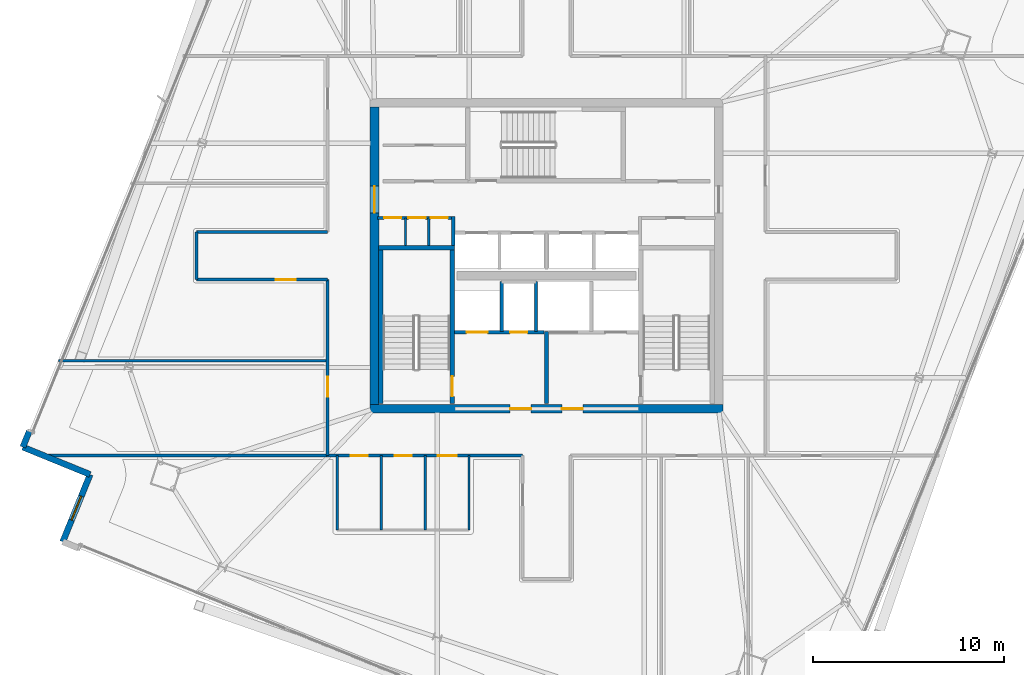
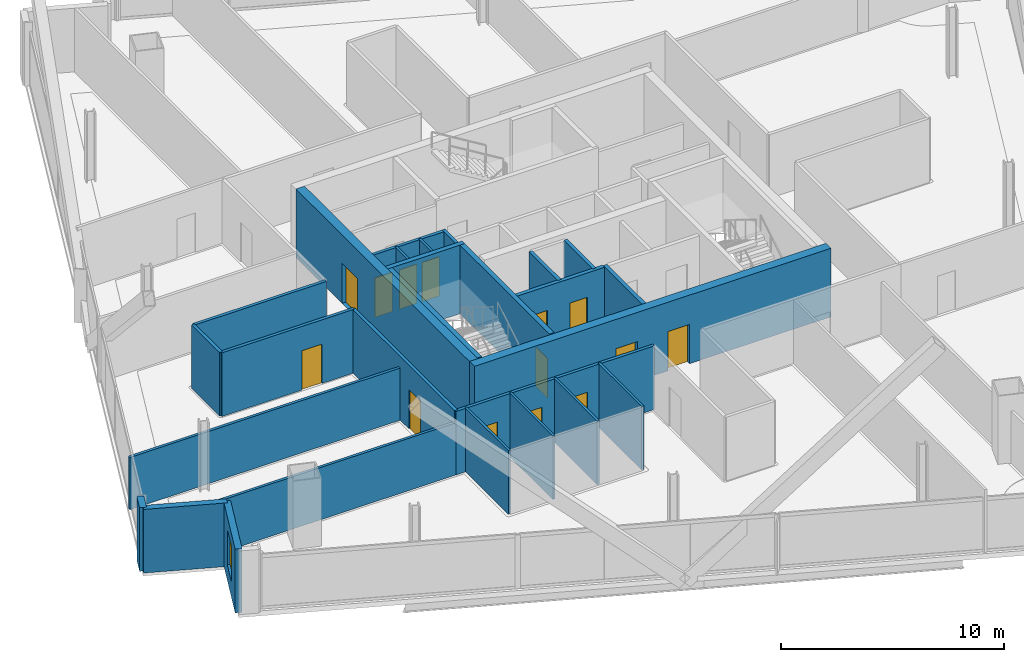
# One storey, part 24 of 31: 27 walls, 14 doors, 1 window, 15 openings.
"""IFC4 building model written with IfcOpenShell, lengths in metres."""

from ifc_helpers import new_model, si_unit, direction, frame, frame_2d, origin, place, context, subcontext, project, spatial, rectangle, extrude, material, layer, layer_set, type_object, element, fill, save


model = new_model("IFC4")

# Units and contexts
model_context = context("Model", 3, precision=1e-05, world=origin(), true_north=direction((0.0, 1.0)))
body_context = subcontext(model_context, "Body", "Model", "MODEL_VIEW")
ifc_project = project(units=[si_unit("LENGTHUNIT", "METRE"), si_unit("AREAUNIT", "SQUARE_METRE"), si_unit("VOLUMEUNIT", "CUBIC_METRE"), si_unit("PLANEANGLEUNIT", "RADIAN"), si_unit("MASSUNIT", "GRAM", prefix="KILO")], contexts=[model_context])

# Site, building, storey
site_placement = place(None, origin())
site = spatial("IfcSite", under=ifc_project, at=site_placement, CompositionType="ELEMENT")
building_placement = place(site_placement, origin())
building = spatial("IfcBuilding", under=site, at=building_placement, Name="Haldenkirk Collegiate Tower", CompositionType="ELEMENT")
storey_placement = place(building_placement, frame((0.0, 0.0, 256.199951171875)))
storey = spatial("IfcBuildingStorey", under=building, at=storey_placement, Name="L64", CompositionType="ELEMENT", Elevation=256.199951171875)

# Wall, openings, doors
ifc_material_1 = material(Name="Concrete f'c 55 MPa", Category="concrete")
ifc_layer_1 = layer(ifc_material_1, 0.449951171875)
ifc_layer_set_1 = layer_set([ifc_layer_1], Name="Concrete f'c 55 MPa")
wall_type_1 = type_object("IfcWallType", Name="WL-CORE-450", PredefinedType="SHEAR", material=ifc_layer_set_1)
wall_1_placement = place(storey_placement, frame((26.77490234375, 18.0, 0.0), z_axis=(0.0, 0.0, 1.0), x_axis=(1.0, 0.0, 0.0)))
wall_1 = element("IfcWall", 1, at=wall_1_placement, inside=storey, type_object=wall_type_1, Name="L64 central core shear wall S", PredefinedType="SHEAR", context=body_context, shape_type="SweptSolid", body=[
    extrude(rectangle(XDim=18.4501953125, YDim=0.449951171875, at=frame_2d((9.22509765625, 0.0))), origin(), (0.0, 0.0, 1.0), 3.75),
])
opening_1_placement = place(wall_1_placement, frame((7.324951171875, 0.0, 0.0)))
opening_1 = element("IfcOpeningElement", 2, at=opening_1_placement, cuts=wall_1, Name="Opening D-02", PredefinedType="OPENING", context=body_context, shape_type="SweptSolid", body=[
    extrude(rectangle(XDim=1.10009765625, YDim=2.14990234375, at=frame_2d((0.550048828125, 1.074951171875))), frame((0.0, 0.23486328125, 0.0), z_axis=(0.0, -1.0, 0.0), x_axis=(1.0, 0.0, 0.0)), (0.0, 0.0, 1.0), 0.469970703125),
])
opening_2_placement = place(wall_1_placement, frame((10.02490234375, 0.0, 0.0)))
opening_2 = element("IfcOpeningElement", 3, at=opening_2_placement, cuts=wall_1, Name="Opening D-02", PredefinedType="OPENING", context=body_context, shape_type="SweptSolid", body=[
    extrude(rectangle(XDim=1.10009765625, YDim=2.14990234375, at=frame_2d((0.550048828125, 1.074951171875))), frame((0.0, 0.23486328125, 0.0), z_axis=(0.0, -1.0, 0.0), x_axis=(1.0, 0.0, 0.0)), (0.0, 0.0, 1.0), 0.469970703125),
])
ifc_material_2 = material(Name="Galvanized fire-rated hollow steel door", Category="steel")
ifc_layer_2 = layer(ifc_material_2, 0.06005859375)
ifc_layer_set_2 = layer_set([ifc_layer_2], Name="Galvanized fire-rated hollow steel door")
door_type_1 = type_object("IfcDoorType", Name="DR-STAIR-FD90-1100", OperationType="NOTDEFINED", PredefinedType="DOOR", material=ifc_layer_set_2)
door_1_placement = place(opening_1_placement, origin())
door_1 = element("IfcDoor", 4, at=door_1_placement, inside=storey, type_object=door_type_1, Name="L64 Firefighting Lobby 1 door", OperationType="SINGLE_SWING_RIGHT", OverallHeight=2.14990234375, OverallWidth=1.10009765625, PredefinedType="DOOR", context=body_context, shape_type="SweptSolid", body=[
    extrude(rectangle(XDim=1.10009765625, YDim=2.14990234375, at=frame_2d((0.550048828125, 1.074951171875))), frame((0.0, 0.02490234375, 0.0), z_axis=(0.0, -1.0, 0.0), x_axis=(1.0, 0.0, 0.0)), (0.0, 0.0, 1.0), 0.050048828125),
])
fill(opening_1, door_1)
door_2_placement = place(opening_2_placement, origin())
door_2 = element("IfcDoor", 5, at=door_2_placement, inside=storey, type_object=door_type_1, Name="L64 Firefighting Lobby 2 door", OperationType="SINGLE_SWING_LEFT", OverallHeight=2.14990234375, OverallWidth=1.10009765625, PredefinedType="DOOR", context=body_context, shape_type="SweptSolid", body=[
    extrude(rectangle(XDim=1.10009765625, YDim=2.14990234375, at=frame_2d((0.550048828125, 1.074951171875))), frame((0.0, 0.02490234375, 0.0), z_axis=(0.0, -1.0, 0.0), x_axis=(1.0, 0.0, 0.0)), (0.0, 0.0, 1.0), 0.050048828125),
])
fill(opening_2, door_2)

# Wall, opening, door
wall_2_placement = place(storey_placement, frame((27.0, 18.22509765625, 0.0), z_axis=(0.0, 0.0, 1.0), x_axis=(0.0, 1.0, 0.0)))
wall_2 = element("IfcWall", 6, at=wall_2_placement, inside=storey, type_object=wall_type_1, Name="L64 central core shear wall W", PredefinedType="SHEAR", context=body_context, shape_type="SweptSolid", body=[
    extrude(rectangle(XDim=15.5498046875, YDim=0.449951171875, at=frame_2d((7.77490234375, 0.0))), origin(), (0.0, 0.0, 1.0), 3.75),
])
opening_3_placement = place(wall_2_placement, frame((10.014892578125, 0.0, 0.0)))
opening_3 = element("IfcOpeningElement", 7, at=opening_3_placement, cuts=wall_2, Name="Opening D-03", PredefinedType="OPENING", context=body_context, shape_type="SweptSolid", body=[
    extrude(rectangle(XDim=1.39990234375, YDim=2.199951171875, at=frame_2d((0.699951171875, 1.10009765625))), frame((0.0, 0.23486328125, 0.0), z_axis=(0.0, -1.0, 0.0), x_axis=(1.0, 0.0, 0.0)), (0.0, 0.0, 1.0), 0.469970703125),
])
ifc_layer_3 = layer(ifc_material_2, 0.06005859375)
ifc_layer_set_3 = layer_set([ifc_layer_3], Name="Galvanized fire-rated hollow steel door")
door_type_2 = type_object("IfcDoorType", Name="DR-LOBBY-FD90-1400", OperationType="NOTDEFINED", PredefinedType="DOOR", material=ifc_layer_set_3)
door_3_placement = place(opening_3_placement, origin())
door_3 = element("IfcDoor", 8, at=door_3_placement, inside=storey, type_object=door_type_2, Name="L64 west lift lobby portal", OperationType="DOUBLE_DOOR_SINGLE_SWING", OverallHeight=2.199951171875, OverallWidth=1.39990234375, PredefinedType="DOOR", context=body_context, shape_type="SweptSolid", body=[
    extrude(rectangle(XDim=1.39990234375, YDim=2.199951171875, at=frame_2d((0.699951171875, 1.10009765625))), frame((0.0, 0.02490234375, 0.0), z_axis=(0.0, -1.0, 0.0), x_axis=(1.0, 0.0, 0.0)), (0.0, 0.0, 1.0), 0.050048828125),
])
fill(opening_3, door_3)

# Walls
ifc_material_3 = material(Name="Precast concrete f'c 40 MPa", Category="concrete")
ifc_layer_4 = layer(ifc_material_3, 0.320068359375)
ifc_layer_set_4 = layer_set([ifc_layer_4], Name="Precast concrete f'c 40 MPa")
wall_type_2 = type_object("IfcWallType", Name="WL-EXT-TWR-320", PredefinedType="STANDARD", material=ifc_layer_set_4)
wall_3_placement = place(storey_placement, frame((8.604248046875, 15.990478515625, 0.0), z_axis=(0.0, 0.0, 1.0), x_axis=(0.377090060843, 0.926176595479, 0.0)))
element("IfcWall", 9, at=wall_3_placement, inside=storey, type_object=wall_type_2, Name="L64 precast corner pier NL", PredefinedType="STANDARD", context=body_context, shape_type="SweptSolid", body=[
    extrude(rectangle(XDim=0.89990234375, YDim=0.320068359375, at=frame_2d((0.449951171875, 0.0))), origin(), (0.0, 0.0, 1.0), 3.47998046875),
])
wall_4_placement = place(storey_placement, frame((12.123779296875, 14.5576171875, 0.0), z_axis=(0.0, 0.0, 1.0), x_axis=(-0.926186283002, 0.377066266297, 0.0)))
element("IfcWall", 10, at=wall_4_placement, inside=storey, type_object=wall_type_2, Name="L64 bronze precast notch wall 08", PredefinedType="STANDARD", context=body_context, shape_type="SweptSolid", body=[
    extrude(rectangle(XDim=3.800048828125, YDim=0.320068359375, at=frame_2d((1.89990234375, 0.0))), origin(), (0.0, 0.0, 1.0), 3.47998046875),
])

# Wall, opening, window
wall_5_placement = place(storey_placement, frame((10.691162109375, 11.0380859375, 0.0), z_axis=(0.0, 0.0, 1.0), x_axis=(0.377011151776, 0.926208719154, 0.0)))
wall_5 = element("IfcWall", 11, at=wall_5_placement, inside=storey, type_object=wall_type_2, Name="L64 bronze precast notch wall 09", PredefinedType="STANDARD", context=body_context, shape_type="SweptSolid", body=[
    extrude(rectangle(XDim=3.800048828125, YDim=0.320068359375, at=frame_2d((1.89990234375, 0.0))), origin(), (0.0, 0.0, 1.0), 3.47998046875),
])
opening_4_placement = place(wall_5_placement, frame((1.22509765625, 0.0, 0.85009765625)))
opening_4 = element("IfcOpeningElement", 12, at=opening_4_placement, cuts=wall_5, Name="Opening W-07", PredefinedType="OPENING", context=body_context, shape_type="SweptSolid", body=[
    extrude(rectangle(XDim=1.35009765625, YDim=1.949951171875, at=frame_2d((0.675048828125, 0.97509765625))), frame((0.0, 0.169921875, 0.0), z_axis=(0.0, -1.0, 0.0), x_axis=(1.0, 0.0, 0.0)), (0.0, 0.0, 1.0), 0.340087890625),
])
ifc_material_4 = material(Name="Low-E argon triple insulating glass", Category="glass")
ifc_layer_5 = layer(ifc_material_4, 0.090087890625)
ifc_layer_set_5 = layer_set([ifc_layer_5], Name="Low-E argon triple insulating glass")
window_type = type_object("IfcWindowType", Name="WN-Z5-1350X1950", PartitioningType="SINGLE_PANEL", PredefinedType="WINDOW", material=ifc_layer_set_5)
window_placement = place(opening_4_placement, origin())
window = element("IfcWindow", 13, at=window_placement, inside=storey, type_object=window_type, Name="L64 precast-frame academic window 8", OverallHeight=1.949951171875, OverallWidth=1.35009765625, PartitioningType="SINGLE_PANEL", PredefinedType="WINDOW", context=body_context, shape_type="SweptSolid", body=[
    extrude(rectangle(XDim=1.35009765625, YDim=1.949951171875, at=frame_2d((0.675048828125, 0.97509765625))), frame((0.0, 0.030029296875, 0.0), z_axis=(0.0, -1.0, 0.0), x_axis=(1.0, 0.0, 0.0)), (0.0, 0.0, 1.0), 0.06005859375),
])
fill(opening_4, window)

# Wall, openings, doors
ifc_material_5 = material(Name="Acoustic fire-rated gypsum partition", Category="concrete")
ifc_layer_6 = layer(ifc_material_5, 0.159912109375)
ifc_layer_set_6 = layer_set([ifc_layer_6], Name="Acoustic fire-rated gypsum partition")
wall_type_3 = type_object("IfcWallType", Name="WL-INT-CORR-160", PredefinedType="PARTITIONING", material=ifc_layer_set_6)
wall_6_placement = place(storey_placement, frame((27.14990234375, 27.97998046875, 0.0), z_axis=(0.0, 0.0, 1.0), x_axis=(1.0, 0.0, 0.0)))
wall_6 = element("IfcWall", 14, at=wall_6_placement, inside=storey, type_object=wall_type_3, Name="L64 interior partition IW-L64-VCSW-N", PredefinedType="PARTITIONING", context=body_context, shape_type="SweptSolid", body=[
    extrude(rectangle(XDim=4.050048828125, YDim=0.159912109375, at=frame_2d((2.02490234375, 0.0))), origin(), (0.0, 0.0, 1.0), 3.47998046875),
])
opening_5_placement = place(wall_6_placement, frame((0.360107421875, 0.0, 0.0)))
opening_5 = element("IfcOpeningElement", 15, at=opening_5_placement, cuts=wall_6, Name="Opening D-11", PredefinedType="OPENING", context=body_context, shape_type="SweptSolid", body=[
    extrude(rectangle(XDim=0.89990234375, YDim=2.14990234375, at=frame_2d((0.449951171875, 1.074951171875))), frame((0.0, 0.08984375, 0.0), z_axis=(0.0, -1.0, 0.0), x_axis=(1.0, 0.0, 0.0)), (0.0, 0.0, 1.0), 0.179931640625),
])
opening_6_placement = place(wall_6_placement, frame((1.6298828125, 0.0, 0.0)))
opening_6 = element("IfcOpeningElement", 16, at=opening_6_placement, cuts=wall_6, Name="Opening D-11", PredefinedType="OPENING", context=body_context, shape_type="SweptSolid", body=[
    extrude(rectangle(XDim=0.89990234375, YDim=2.14990234375, at=frame_2d((0.449951171875, 1.074951171875))), frame((0.0, 0.08984375, 0.0), z_axis=(0.0, -1.0, 0.0), x_axis=(1.0, 0.0, 0.0)), (0.0, 0.0, 1.0), 0.179931640625),
])
opening_7_placement = place(wall_6_placement, frame((2.78759765625, 0.0, 0.0)))
opening_7 = element("IfcOpeningElement", 17, at=opening_7_placement, cuts=wall_6, Name="Opening D-11", PredefinedType="OPENING", context=body_context, shape_type="SweptSolid", body=[
    extrude(rectangle(XDim=0.89990234375, YDim=2.14990234375, at=frame_2d((0.449951171875, 1.074951171875))), frame((0.0, 0.08984375, 0.0), z_axis=(0.0, -1.0, 0.0), x_axis=(1.0, 0.0, 0.0)), (0.0, 0.0, 1.0), 0.179931640625),
])
ifc_material_6 = material(Name="Solid-core architectural oak fire door", Category="wood")
ifc_layer_7 = layer(ifc_material_6, 0.06005859375)
ifc_layer_set_7 = layer_set([ifc_layer_7], Name="Solid-core architectural oak fire door")
door_type_3 = type_object("IfcDoorType", Name="DR-INT-FD60-900", OperationType="NOTDEFINED", PredefinedType="DOOR", material=ifc_layer_set_7)
door_4_placement = place(opening_5_placement, origin())
door_4 = element("IfcDoor", 18, at=door_4_placement, inside=storey, type_object=door_type_3, Name="L64 core study booth door", OperationType="SINGLE_SWING_RIGHT", OverallHeight=2.14990234375, OverallWidth=0.89990234375, PredefinedType="DOOR", context=body_context, shape_type="SweptSolid", body=[
    extrude(rectangle(XDim=0.89990234375, YDim=2.14990234375, at=frame_2d((0.449951171875, 1.074951171875))), frame((0.0, 0.02490234375, 0.0), z_axis=(0.0, -1.0, 0.0), x_axis=(1.0, 0.0, 0.0)), (0.0, 0.0, 1.0), 0.050048828125),
])
fill(opening_5, door_4)
door_5_placement = place(opening_6_placement, origin())
door_5 = element("IfcDoor", 19, at=door_5_placement, inside=storey, type_object=door_type_3, Name="L64 core cleaners door", OperationType="SINGLE_SWING_LEFT", OverallHeight=2.14990234375, OverallWidth=0.89990234375, PredefinedType="DOOR", context=body_context, shape_type="SweptSolid", body=[
    extrude(rectangle(XDim=0.89990234375, YDim=2.14990234375, at=frame_2d((0.449951171875, 1.074951171875))), frame((0.0, 0.02490234375, 0.0), z_axis=(0.0, -1.0, 0.0), x_axis=(1.0, 0.0, 0.0)), (0.0, 0.0, 1.0), 0.050048828125),
])
fill(opening_6, door_5)
door_6_placement = place(opening_7_placement, origin())
door_6 = element("IfcDoor", 20, at=door_6_placement, inside=storey, type_object=door_type_3, Name="L64 core stationery door", OperationType="SINGLE_SWING_RIGHT", OverallHeight=2.14990234375, OverallWidth=0.89990234375, PredefinedType="DOOR", context=body_context, shape_type="SweptSolid", body=[
    extrude(rectangle(XDim=0.89990234375, YDim=2.14990234375, at=frame_2d((0.449951171875, 1.074951171875))), frame((0.0, 0.02490234375, 0.0), z_axis=(0.0, -1.0, 0.0), x_axis=(1.0, 0.0, 0.0)), (0.0, 0.0, 1.0), 0.050048828125),
])
fill(opening_7, door_6)

# Wall
wall_7_placement = place(storey_placement, frame((31.1201171875, 26.5400390625, 0.0), z_axis=(0.0, 0.0, 1.0), x_axis=(0.0, 1.0, 0.0)))
element("IfcWall", 21, at=wall_7_placement, inside=storey, type_object=wall_type_3, Name="L64 interior partition IW-L64-VCSW-E", PredefinedType="PARTITIONING", context=body_context, shape_type="SweptSolid", body=[
    extrude(rectangle(XDim=1.510009765625, YDim=0.159912109375, at=frame_2d((0.7548828125, 0.0))), origin(), (0.0, 0.0, 1.0), 3.47998046875),
])

# Wall, openings, doors
wall_8_placement = place(storey_placement, frame((24.5, 15.550048828125, 0.0), z_axis=(0.0, 0.0, 1.0), x_axis=(1.0, 0.0, 0.0)))
wall_8 = element("IfcWall", 22, at=wall_8_placement, inside=storey, type_object=wall_type_3, Name="L64 interior partition IW-L64-CS1", PredefinedType="PARTITIONING", context=body_context, shape_type="SweptSolid", body=[
    extrude(rectangle(XDim=10.25, YDim=0.159912109375, at=frame_2d((5.125, 0.0))), origin(), (0.0, 0.0, 1.0), 3.47998046875),
])
opening_8_placement = place(wall_8_placement, frame((1.25, 0.0, 0.0)))
opening_8 = element("IfcOpeningElement", 23, at=opening_8_placement, cuts=wall_8, Name="Opening D-13", PredefinedType="OPENING", context=body_context, shape_type="SweptSolid", body=[
    extrude(rectangle(XDim=0.89990234375, YDim=2.14990234375, at=frame_2d((0.449951171875, 1.074951171875))), frame((0.0, 0.08984375, 0.0), z_axis=(0.0, -1.0, 0.0), x_axis=(1.0, 0.0, 0.0)), (0.0, 0.0, 1.0), 0.179931640625),
])
opening_9_placement = place(wall_8_placement, frame((3.550048828125, 0.0, 0.0)))
opening_9 = element("IfcOpeningElement", 24, at=opening_9_placement, cuts=wall_8, Name="Opening D-13", PredefinedType="OPENING", context=body_context, shape_type="SweptSolid", body=[
    extrude(rectangle(XDim=0.89990234375, YDim=2.14990234375, at=frame_2d((0.449951171875, 1.074951171875))), frame((0.0, 0.08984375, 0.0), z_axis=(0.0, -1.0, 0.0), x_axis=(1.0, 0.0, 0.0)), (0.0, 0.0, 1.0), 0.179931640625),
])
opening_10_placement = place(wall_8_placement, frame((5.800048828125, 0.0, 0.0)))
opening_10 = element("IfcOpeningElement", 25, at=opening_10_placement, cuts=wall_8, Name="Opening D-14", PredefinedType="OPENING", context=body_context, shape_type="SweptSolid", body=[
    extrude(rectangle(XDim=1.0, YDim=2.14990234375, at=frame_2d((0.5, 1.074951171875))), frame((0.0, 0.08984375, 0.0), z_axis=(0.0, -1.0, 0.0), x_axis=(1.0, 0.0, 0.0)), (0.0, 0.0, 1.0), 0.179931640625),
])
ifc_layer_8 = layer(ifc_material_6, 0.06005859375)
ifc_layer_set_8 = layer_set([ifc_layer_8], Name="Solid-core architectural oak fire door")
door_type_4 = type_object("IfcDoorType", Name="DR-INT-ACC-1000", OperationType="NOTDEFINED", PredefinedType="DOOR", material=ifc_layer_set_8)
door_7_placement = place(opening_10_placement, origin())
door_7 = element("IfcDoor", 26, at=door_7_placement, inside=storey, type_object=door_type_4, Name="L64 Accessible WC door", OperationType="SINGLE_SWING_LEFT", OverallHeight=2.14990234375, OverallWidth=1.0, PredefinedType="DOOR", context=body_context, shape_type="SweptSolid", body=[
    extrude(rectangle(XDim=1.0, YDim=2.14990234375, at=frame_2d((0.5, 1.074951171875))), frame((0.0, 0.02490234375, 0.0), z_axis=(0.0, -1.0, 0.0), x_axis=(1.0, 0.0, 0.0)), (0.0, 0.0, 1.0), 0.050048828125),
])
fill(opening_10, door_7)
ifc_layer_9 = layer(ifc_material_6, 0.06005859375)
ifc_layer_set_9 = layer_set([ifc_layer_9], Name="Solid-core architectural oak fire door")
door_type_5 = type_object("IfcDoorType", Name="DR-INT-STD-900", OperationType="NOTDEFINED", PredefinedType="DOOR", material=ifc_layer_set_9)
door_8_placement = place(opening_8_placement, origin())
door_8 = element("IfcDoor", 27, at=door_8_placement, inside=storey, type_object=door_type_5, Name="L64 Male WC door", OperationType="SINGLE_SWING_LEFT", OverallHeight=2.14990234375, OverallWidth=0.89990234375, PredefinedType="DOOR", context=body_context, shape_type="SweptSolid", body=[
    extrude(rectangle(XDim=0.89990234375, YDim=2.14990234375, at=frame_2d((0.449951171875, 1.074951171875))), frame((0.0, 0.02490234375, 0.0), z_axis=(0.0, -1.0, 0.0), x_axis=(1.0, 0.0, 0.0)), (0.0, 0.0, 1.0), 0.050048828125),
])
fill(opening_8, door_8)
door_9_placement = place(opening_9_placement, origin())
door_9 = element("IfcDoor", 28, at=door_9_placement, inside=storey, type_object=door_type_5, Name="L64 Female WC door", OperationType="SINGLE_SWING_RIGHT", OverallHeight=2.14990234375, OverallWidth=0.89990234375, PredefinedType="DOOR", context=body_context, shape_type="SweptSolid", body=[
    extrude(rectangle(XDim=0.89990234375, YDim=2.14990234375, at=frame_2d((0.449951171875, 1.074951171875))), frame((0.0, 0.02490234375, 0.0), z_axis=(0.0, -1.0, 0.0), x_axis=(1.0, 0.0, 0.0)), (0.0, 0.0, 1.0), 0.050048828125),
])
fill(opening_9, door_9)

# Wall, opening, door
wall_9_placement = place(storey_placement, frame((24.550048828125, 15.550048828125, 0.0), z_axis=(0.0, 0.0, 1.0), x_axis=(0.0, 1.0, 0.0)))
wall_9 = element("IfcWall", 29, at=wall_9_placement, inside=storey, type_object=wall_type_3, Name="L64 interior partition IW-L64-CW1", PredefinedType="PARTITIONING", context=body_context, shape_type="SweptSolid", body=[
    extrude(rectangle(XDim=9.199951171875, YDim=0.159912109375, at=frame_2d((4.60009765625, 0.0))), origin(), (0.0, 0.0, 1.0), 3.47998046875),
])
opening_11_placement = place(wall_9_placement, frame((3.06689453125, 0.0, 0.0)))
opening_11 = element("IfcOpeningElement", 30, at=opening_11_placement, cuts=wall_9, Name="Opening D-09", PredefinedType="OPENING", context=body_context, shape_type="SweptSolid", body=[
    extrude(rectangle(XDim=1.050048828125, YDim=2.14990234375, at=frame_2d((0.52490234375, 1.074951171875))), frame((0.0, 0.08984375, 0.0), z_axis=(0.0, -1.0, 0.0), x_axis=(1.0, 0.0, 0.0)), (0.0, 0.0, 1.0), 0.179931640625),
])
ifc_layer_10 = layer(ifc_material_6, 0.06005859375)
ifc_layer_set_10 = layer_set([ifc_layer_10], Name="Solid-core architectural oak fire door")
door_type_6 = type_object("IfcDoorType", Name="DR-INT-FD60-1050", OperationType="NOTDEFINED", PredefinedType="DOOR", material=ifc_layer_set_10)
door_10_placement = place(opening_11_placement, origin())
door_10 = element("IfcDoor", 31, at=door_10_placement, inside=storey, type_object=door_type_6, Name="L64 Colloquium Conference Room 8 door", OperationType="SINGLE_SWING_LEFT", OverallHeight=2.14990234375, OverallWidth=1.050048828125, PredefinedType="DOOR", context=body_context, shape_type="SweptSolid", body=[
    extrude(rectangle(XDim=1.050048828125, YDim=2.14990234375, at=frame_2d((0.52490234375, 1.074951171875))), frame((0.0, 0.02490234375, 0.0), z_axis=(0.0, -1.0, 0.0), x_axis=(1.0, 0.0, 0.0)), (0.0, 0.0, 1.0), 0.050048828125),
])
fill(opening_11, door_10)

wall_10_placement = place(storey_placement, frame((17.699951171875, 24.75, 0.0), z_axis=(0.0, 0.0, 1.0), x_axis=(1.0, 0.0, 0.0)))
wall_10 = element("IfcWall", 32, at=wall_10_placement, inside=storey, type_object=wall_type_3, Name="L64 interior partition IW-L64-WPS", PredefinedType="PARTITIONING", context=body_context, shape_type="SweptSolid", body=[
    extrude(rectangle(XDim=6.85009765625, YDim=0.159912109375, at=frame_2d((3.425048828125, 0.0))), origin(), (0.0, 0.0, 1.0), 3.47998046875),
])
opening_12_placement = place(wall_10_placement, frame((4.133056640625, 0.0, 0.0)))
opening_12 = element("IfcOpeningElement", 33, at=opening_12_placement, cuts=wall_10, Name="Opening D-09", PredefinedType="OPENING", context=body_context, shape_type="SweptSolid", body=[
    extrude(rectangle(XDim=1.050048828125, YDim=2.14990234375, at=frame_2d((0.52490234375, 1.074951171875))), frame((0.0, 0.08984375, 0.0), z_axis=(0.0, -1.0, 0.0), x_axis=(1.0, 0.0, 0.0)), (0.0, 0.0, 1.0), 0.179931640625),
])
door_11_placement = place(opening_12_placement, origin())
door_11 = element("IfcDoor", 34, at=door_11_placement, inside=storey, type_object=door_type_6, Name="L64 Tutorial Seminar Room 9 door", OperationType="SINGLE_SWING_RIGHT", OverallHeight=2.14990234375, OverallWidth=1.050048828125, PredefinedType="DOOR", context=body_context, shape_type="SweptSolid", body=[
    extrude(rectangle(XDim=1.050048828125, YDim=2.14990234375, at=frame_2d((0.52490234375, 1.074951171875))), frame((0.0, 0.02490234375, 0.0), z_axis=(0.0, -1.0, 0.0), x_axis=(1.0, 0.0, 0.0)), (0.0, 0.0, 1.0), 0.050048828125),
])
fill(opening_12, door_11)

# Walls
wall_11_placement = place(storey_placement, frame((17.699951171875, 27.25, 0.0), z_axis=(0.0, 0.0, 1.0), x_axis=(1.0, 0.0, 0.0)))
element("IfcWall", 35, at=wall_11_placement, inside=storey, type_object=wall_type_3, Name="L64 interior partition IW-L64-WPN", PredefinedType="PARTITIONING", context=body_context, shape_type="SweptSolid", body=[
    extrude(rectangle(XDim=6.85009765625, YDim=0.159912109375, at=frame_2d((3.425048828125, 0.0))), origin(), (0.0, 0.0, 1.0), 3.47998046875),
])
wall_12_placement = place(storey_placement, frame((17.699951171875, 24.75, 0.0), z_axis=(0.0, 0.0, 1.0), x_axis=(0.0, 1.0, 0.0)))
element("IfcWall", 36, at=wall_12_placement, inside=storey, type_object=wall_type_3, Name="L64 interior partition IW-L64-WPW", PredefinedType="PARTITIONING", context=body_context, shape_type="SweptSolid", body=[
    extrude(rectangle(XDim=2.5, YDim=0.159912109375, at=frame_2d((1.25, 0.0))), origin(), (0.0, 0.0, 1.0), 3.47998046875),
])
ifc_layer_11 = layer(ifc_material_5, 0.139892578125)
ifc_layer_set_11 = layer_set([ifc_layer_11], Name="Acoustic fire-rated gypsum partition")
wall_type_4 = type_object("IfcWallType", Name="WL-INT-DIV-140", PredefinedType="PARTITIONING", material=ifc_layer_set_11)
wall_13_placement = place(storey_placement, frame((9.792236328125, 15.550048828125, 0.0), z_axis=(0.0, 0.0, 1.0), x_axis=(1.0, 0.0, 0.0)))
element("IfcWall", 37, at=wall_13_placement, inside=storey, type_object=wall_type_4, Name="L64 interior partition IW-L64-BWS", PredefinedType="PARTITIONING", context=body_context, shape_type="SweptSolid", body=[
    extrude(rectangle(XDim=14.7578125, YDim=0.139892578125, at=frame_2d((7.37890625, 0.0))), origin(), (0.0, 0.0, 1.0), 2.858154296875),
])
wall_14_placement = place(storey_placement, frame((10.483154296875, 20.5, 0.0), z_axis=(0.0, 0.0, 1.0), x_axis=(1.0, 0.0, 0.0)))
element("IfcWall", 38, at=wall_14_placement, inside=storey, type_object=wall_type_4, Name="L64 interior partition IW-L64-RW1", PredefinedType="PARTITIONING", context=body_context, shape_type="SweptSolid", body=[
    extrude(rectangle(XDim=14.06689453125, YDim=0.139892578125, at=frame_2d((7.033447265625, 0.0))), origin(), (0.0, 0.0, 1.0), 2.858154296875),
])
ifc_material_7 = material(Name="Fire-rated gypsum shaftboard assembly", Category="concrete")
ifc_layer_12 = layer(ifc_material_7, 0.179931640625)
ifc_layer_set_12 = layer_set([ifc_layer_12], Name="Fire-rated gypsum shaftboard assembly")
wall_type_5 = type_object("IfcWallType", Name="WL-INT-SHAFT-180", PredefinedType="PARTITIONING", material=ifc_layer_set_12)
for number, where, z_axis, x_axis, name in (
    (39, (33.64990234375, 22.050048828125, 0.0), (0.0, 0.0, 1.0), (0.0, 1.0, 0.0), "L64 interior partition IW-L64-FL1E"),
    (40, (35.449951171875, 22.050048828125, 0.0), (0.0, 0.0, 1.0), (0.0, 1.0, 0.0), "L64 interior partition IW-L64-GL1W"),
):
    element("IfcWall", number, at=place(storey_placement, frame(where, z_axis=z_axis, x_axis=x_axis)), inside=storey, type_object=wall_type_5, Name=name, PredefinedType="PARTITIONING", context=body_context, shape_type="SweptSolid", body=[
        extrude(rectangle(XDim=2.599853515625, YDim=0.179931640625, at=frame_2d((1.2998046875, 0.0))), origin(), (0.0, 0.0, 1.0), 3.47998046875),
    ])
ifc_layer_13 = layer(ifc_material_7, 0.199951171875)
ifc_layer_set_13 = layer_set([ifc_layer_13], Name="Fire-rated gypsum shaftboard assembly")
wall_type_6 = type_object("IfcWallType", Name="WL-INT-SHAFT-200", PredefinedType="PARTITIONING", material=ifc_layer_set_13)
wall_15_placement = place(storey_placement, frame((36.0, 18.280029296875, 0.0), z_axis=(0.0, 0.0, 1.0), x_axis=(0.0, 1.0, 0.0)))
element("IfcWall", 41, at=wall_15_placement, inside=storey, type_object=wall_type_6, Name="L64 interior partition IW-L64-FFLM", PredefinedType="PARTITIONING", context=body_context, shape_type="SweptSolid", body=[
    extrude(rectangle(XDim=3.77001953125, YDim=0.199951171875, at=frame_2d((1.885009765625, 0.0))), origin(), (0.0, 0.0, 1.0), 3.47998046875),
])

# Wall, openings, doors
wall_16_placement = place(storey_placement, frame((31.18994140625, 22.0, 0.0), z_axis=(0.0, 0.0, 1.0), x_axis=(1.0, 0.0, 0.0)))
wall_16 = element("IfcWall", 42, at=wall_16_placement, inside=storey, type_object=wall_type_6, Name="L64 interior partition IW-L64-FFL1N", PredefinedType="PARTITIONING", context=body_context, shape_type="SweptSolid", body=[
    extrude(rectangle(XDim=4.68994140625, YDim=0.199951171875, at=frame_2d((2.344970703125, 0.0))), origin(), (0.0, 0.0, 1.0), 3.47998046875),
])
opening_13_placement = place(wall_16_placement, frame((2.909912109375, 0.0, 0.0)))
opening_13 = element("IfcOpeningElement", 43, at=opening_13_placement, cuts=wall_16, Name="Opening D-06", PredefinedType="OPENING", context=body_context, shape_type="SweptSolid", body=[
    extrude(rectangle(XDim=0.89990234375, YDim=2.14990234375, at=frame_2d((0.449951171875, 1.074951171875))), frame((0.0, 0.10986328125, 0.0), z_axis=(0.0, -1.0, 0.0), x_axis=(1.0, 0.0, 0.0)), (0.0, 0.0, 1.0), 0.219970703125),
])
opening_14_placement = place(wall_16_placement, frame((0.635009765625, 0.0, 0.0)))
opening_14 = element("IfcOpeningElement", 44, at=opening_14_placement, cuts=wall_16, Name="Opening LD-12", PredefinedType="OPENING", context=body_context, shape_type="SweptSolid", body=[
    extrude(rectangle(XDim=1.10009765625, YDim=2.14990234375, at=frame_2d((0.550048828125, 1.074951171875))), frame((0.0, 0.10986328125, 0.0), z_axis=(0.0, -1.0, 0.0), x_axis=(1.0, 0.0, 0.0)), (0.0, 0.0, 1.0), 0.219970703125),
])
ifc_layer_14 = layer(ifc_material_2, 0.06005859375)
ifc_layer_set_14 = layer_set([ifc_layer_14], Name="Galvanized fire-rated hollow steel door")
door_type_7 = type_object("IfcDoorType", Name="DR-INT-FD90-900", OperationType="NOTDEFINED", PredefinedType="DOOR", material=ifc_layer_set_14)
door_12_placement = place(opening_13_placement, origin())
door_12 = element("IfcDoor", 45, at=door_12_placement, inside=storey, type_object=door_type_7, Name="L64 electrical riser door", OperationType="SINGLE_SWING_RIGHT", OverallHeight=2.14990234375, OverallWidth=0.89990234375, PredefinedType="DOOR", context=body_context, shape_type="SweptSolid", body=[
    extrude(rectangle(XDim=0.89990234375, YDim=2.14990234375, at=frame_2d((0.449951171875, 1.074951171875))), frame((0.0, 0.02490234375, 0.0), z_axis=(0.0, -1.0, 0.0), x_axis=(1.0, 0.0, 0.0)), (0.0, 0.0, 1.0), 0.050048828125),
])
fill(opening_13, door_12)
ifc_material_8 = material(Name="Brushed architectural stainless steel", Category="steel")
ifc_layer_15 = layer(ifc_material_8, 0.06005859375)
ifc_layer_set_15 = layer_set([ifc_layer_15], Name="Brushed architectural stainless steel")
door_type_8 = type_object("IfcDoorType", Name="LD-FIRE-1100", OperationType="NOTDEFINED", PredefinedType="DOOR", material=ifc_layer_set_15)
door_13_placement = place(opening_14_placement, origin())
door_13 = element("IfcDoor", 46, at=door_13_placement, inside=storey, type_object=door_type_8, Name="L64 Elevator FL1 sliding landing door", OperationType="SLIDING_TO_LEFT", OverallHeight=2.14990234375, OverallWidth=1.10009765625, PredefinedType="DOOR", context=body_context, shape_type="SweptSolid", body=[
    extrude(rectangle(XDim=1.10009765625, YDim=2.14990234375, at=frame_2d((0.550048828125, 1.074951171875))), frame((0.0, 0.02490234375, 0.0), z_axis=(0.0, -1.0, 0.0), x_axis=(1.0, 0.0, 0.0)), (0.0, 0.0, 1.0), 0.050048828125),
])
fill(opening_14, door_13)

# Walls
ifc_layer_16 = layer(ifc_material_5, 0.1201171875)
ifc_layer_set_16 = layer_set([ifc_layer_16], Name="Acoustic fire-rated gypsum partition")
wall_type_7 = type_object("IfcWallType", Name="WL-INT-WET-120", PredefinedType="PARTITIONING", material=ifc_layer_set_16)
for number, where, z_axis, x_axis, name in (
    (47, (28.6201171875, 26.5400390625, 0.0), (0.0, 0.0, 1.0), (0.0, 1.0, 0.0), "L64 interior partition IW-L64-VCSW-M1"),
    (48, (29.840087890625, 26.5400390625, 0.0), (0.0, 0.0, 1.0), (0.0, 1.0, 0.0), "L64 interior partition IW-L64-VCSW-M2"),
):
    element("IfcWall", number, at=place(storey_placement, frame(where, z_axis=z_axis, x_axis=x_axis)), inside=storey, type_object=wall_type_7, Name=name, PredefinedType="PARTITIONING", context=body_context, shape_type="SweptSolid", body=[
        extrude(rectangle(XDim=1.43994140625, YDim=0.1201171875, at=frame_2d((0.719970703125, 0.0))), origin(), (0.0, 0.0, 1.0), 3.47998046875),
    ])
for number, where, z_axis, x_axis, name in (
    (49, (25.050048828125, 11.64990234375, 0.0), (0.0, 0.0, 1.0), (0.0, 1.0, 0.0), "L64 interior partition IW-L64-WCW"),
    (50, (27.35009765625, 11.64990234375, 0.0), (0.0, 0.0, 1.0), (0.0, 1.0, 0.0), "L64 interior partition IW-L64-WC1"),
    (51, (29.64990234375, 11.64990234375, 0.0), (0.0, 0.0, 1.0), (0.0, 1.0, 0.0), "L64 interior partition IW-L64-WC2"),
    (52, (31.949951171875, 11.64990234375, 0.0), (0.0, 0.0, 1.0), (0.0, 1.0, 0.0), "L64 interior partition IW-L64-WCE"),
):
    element("IfcWall", number, at=place(storey_placement, frame(where, z_axis=z_axis, x_axis=x_axis)), inside=storey, type_object=wall_type_7, Name=name, PredefinedType="PARTITIONING", context=body_context, shape_type="SweptSolid", body=[
        extrude(rectangle(XDim=3.900146484375, YDim=0.1201171875, at=frame_2d((1.9501953125, 0.0))), origin(), (0.0, 0.0, 1.0), 3.47998046875),
    ])

# Wall, opening, door
ifc_layer_17 = layer(ifc_material_1, 0.239990234375)
ifc_layer_set_17 = layer_set([ifc_layer_17], Name="Concrete f'c 55 MPa")
wall_type_8 = type_object("IfcWallType", Name="WL-SHAFT-240", PredefinedType="SHEAR", material=ifc_layer_set_17)
wall_17_placement = place(storey_placement, frame((31.070068359375, 18.280029296875, 0.0), z_axis=(0.0, 0.0, 1.0), x_axis=(0.0, 1.0, 0.0)))
wall_17 = element("IfcWall", 53, at=wall_17_placement, inside=storey, type_object=wall_type_8, Name="L64 stair shaft shear wall SW-L64-ST1E", PredefinedType="SHEAR", context=body_context, shape_type="SweptSolid", body=[
    extrude(rectangle(XDim=8.260009765625, YDim=0.239990234375, at=frame_2d((4.1298828125, 0.0))), origin(), (0.0, 0.0, 1.0), 3.75),
])
opening_15_placement = place(wall_17_placement, frame((0.364990234375, 0.0, 0.0)))
opening_15 = element("IfcOpeningElement", 54, at=opening_15_placement, cuts=wall_17, Name="Opening D-01", PredefinedType="OPENING", context=body_context, shape_type="SweptSolid", body=[
    extrude(rectangle(XDim=1.050048828125, YDim=2.14990234375, at=frame_2d((0.52490234375, 1.074951171875))), frame((0.0, 0.1298828125, 0.0), z_axis=(0.0, -1.0, 0.0), x_axis=(1.0, 0.0, 0.0)), (0.0, 0.0, 1.0), 0.260009765625),
])
ifc_layer_18 = layer(ifc_material_2, 0.06005859375)
ifc_layer_set_18 = layer_set([ifc_layer_18], Name="Galvanized fire-rated hollow steel door")
door_type_9 = type_object("IfcDoorType", Name="DR-STAIR-FD90-1050", OperationType="NOTDEFINED", PredefinedType="DOOR", material=ifc_layer_set_18)
door_14_placement = place(opening_15_placement, origin())
door_14 = element("IfcDoor", 55, at=door_14_placement, inside=storey, type_object=door_type_9, Name="L64 Stair 1 door", OperationType="SINGLE_SWING_LEFT", OverallHeight=2.14990234375, OverallWidth=1.050048828125, PredefinedType="DOOR", context=body_context, shape_type="SweptSolid", body=[
    extrude(rectangle(XDim=1.050048828125, YDim=2.14990234375, at=frame_2d((0.52490234375, 1.074951171875))), frame((0.0, 0.02490234375, 0.0), z_axis=(0.0, -1.0, 0.0), x_axis=(1.0, 0.0, 0.0)), (0.0, 0.0, 1.0), 0.050048828125),
])
fill(opening_15, door_14)

# Walls
wall_18_placement = place(storey_placement, frame((27.2099609375, 26.419921875, 0.0), z_axis=(0.0, 0.0, 1.0), x_axis=(1.0, 0.0, 0.0)))
element("IfcWall", 56, at=wall_18_placement, inside=storey, type_object=wall_type_8, Name="L64 stair shaft shear wall SW-L64-ST1N", PredefinedType="SHEAR", context=body_context, shape_type="SweptSolid", body=[
    extrude(rectangle(XDim=3.97998046875, YDim=0.239990234375, at=frame_2d((1.989990234375, 0.0))), origin(), (0.0, 0.0, 1.0), 3.75),
])
wall_19_placement = place(storey_placement, frame((27.330078125, 18.280029296875, 0.0), z_axis=(0.0, 0.0, 1.0), x_axis=(0.0, 1.0, 0.0)))
element("IfcWall", 57, at=wall_19_placement, inside=storey, type_object=wall_type_8, Name="L64 stair shaft shear wall SW-L64-ST1W", PredefinedType="SHEAR", context=body_context, shape_type="SweptSolid", body=[
    extrude(rectangle(XDim=8.260009765625, YDim=0.239990234375, at=frame_2d((4.1298828125, 0.0))), origin(), (0.0, 0.0, 1.0), 3.75),
])

save(model, "model.ifc")
